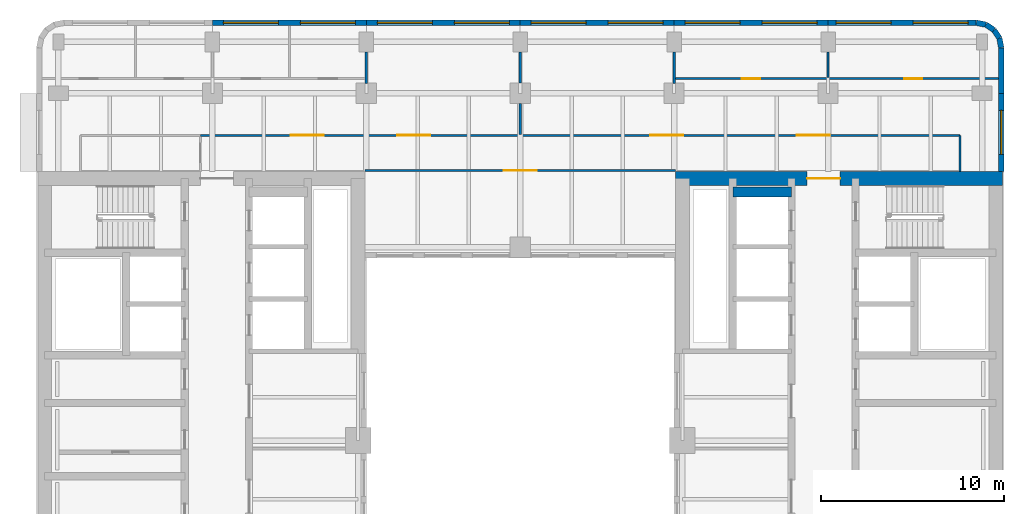
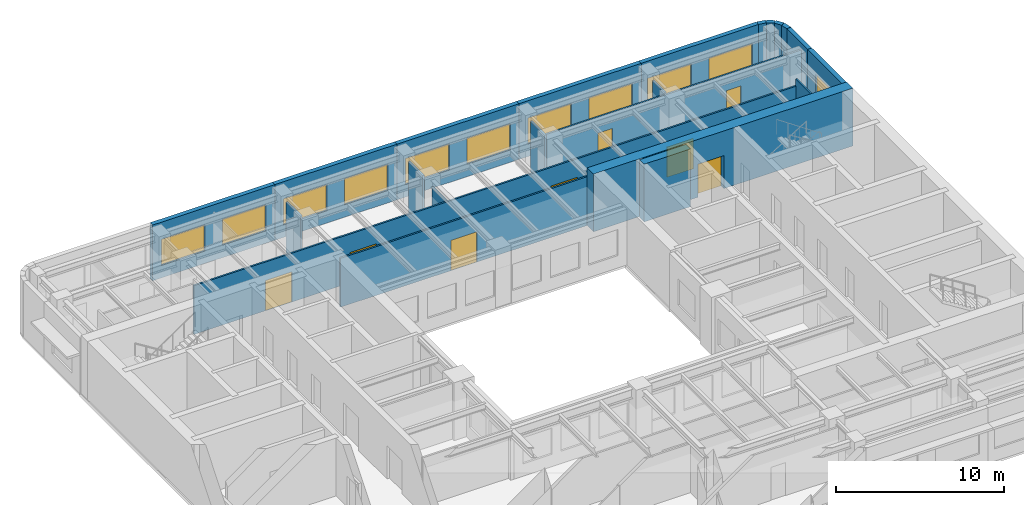
# One storey, part 7 of 11: 22 walls, 11 windows, 8 doors, 19 openings.
"""IFC4 building model written with IfcOpenShell, lengths in metres."""

from ifc_helpers import new_model, si_unit, direction, frame, frame_2d, origin, place, context, subcontext, project, spatial, rectangle, extrude, material, layer, layer_set, type_object, element, fill, save


model = new_model("IFC4")

# Units and contexts
model_context = context("Model", 3, precision=1e-05, world=origin(), true_north=direction((0.0, 1.0)))
body_context = subcontext(model_context, "Body", "Model", "MODEL_VIEW")
ifc_project = project(units=[si_unit("LENGTHUNIT", "METRE"), si_unit("AREAUNIT", "SQUARE_METRE"), si_unit("VOLUMEUNIT", "CUBIC_METRE"), si_unit("PLANEANGLEUNIT", "RADIAN"), si_unit("MASSUNIT", "GRAM", prefix="KILO")], contexts=[model_context])

# Site, building, storey
site_placement = place(None, origin())
site = spatial("IfcSite", under=ifc_project, at=site_placement, CompositionType="ELEMENT")
building_placement = place(site_placement, origin())
building = spatial("IfcBuilding", under=site, at=building_placement, Name="Claustro Exchange Tower", CompositionType="ELEMENT")
storey_placement = place(building_placement, frame((0.0, 0.0, 198.60009765625)))
storey = spatial("IfcBuildingStorey", under=building, at=storey_placement, Name="L45", CompositionType="ELEMENT", Elevation=198.60009765625)

# Wall
ifc_material_1 = material(Name="Laminated glass in aluminium frame", Category="aluminium")
ifc_layer_1 = layer(ifc_material_1, 0.1201171875)
ifc_layer_set_1 = layer_set([ifc_layer_1], Name="Laminated glass in aluminium frame")
wall_type_1 = type_object("IfcWallType", Name="P2 120 glazed partition", PredefinedType="PARTITIONING", material=ifc_layer_set_1)
wall_1_placement = place(storey_placement, frame((16.800048828125, 42.548095703125, 0.0), z_axis=(0.0, 0.0, 1.0), x_axis=(0.0, 1.0, 0.0)))
element("IfcWall", 1, at=wall_1_placement, inside=storey, type_object=wall_type_1, Name="Partition P2 L45", PredefinedType="PARTITIONING", context=body_context, shape_type="SweptSolid", body=[
    extrude(rectangle(XDim=1.702880859375, YDim=0.1201171875, at=frame_2d((0.8515625, 0.0))), origin(), (0.0, 0.0, 1.0), 3.68994140625),
])

# Wall, openings, doors
wall_2_placement = place(storey_placement, frame((33.60009765625, 42.800048828125, 0.0), z_axis=(0.0, 0.0, 1.0), x_axis=(1.0, 0.0, 0.0)))
wall_2 = element("IfcWall", 2, at=wall_2_placement, inside=storey, type_object=wall_type_1, Name="Partition P2 L45", PredefinedType="PARTITIONING", context=body_context, shape_type="SweptSolid", body=[
    extrude(rectangle(XDim=17.701904296875, YDim=0.1201171875, at=frame_2d((8.85107421875, 0.0))), origin(), (0.0, 0.0, 1.0), 3.559814453125),
])
opening_1_placement = place(wall_2_placement, frame((3.699951171875, 0.0, 0.0)))
opening_1 = element("IfcOpeningElement", 3, at=opening_1_placement, cuts=wall_2, Name="Opening D7", PredefinedType="OPENING", context=body_context, shape_type="SweptSolid", body=[
    extrude(rectangle(XDim=1.0, YDim=2.39990234375, at=frame_2d((0.5, 1.199951171875))), frame((0.0, 0.070068359375, 0.0), z_axis=(0.0, -1.0, 0.0), x_axis=(1.0, 0.0, 0.0)), (0.0, 0.0, 1.0), 0.14013671875),
])
opening_2_placement = place(wall_2_placement, frame((12.550048828125, 0.0, 0.0)))
opening_2 = element("IfcOpeningElement", 4, at=opening_2_placement, cuts=wall_2, Name="Opening D7", PredefinedType="OPENING", context=body_context, shape_type="SweptSolid", body=[
    extrude(rectangle(XDim=1.0, YDim=2.39990234375, at=frame_2d((0.5, 1.199951171875))), frame((0.0, 0.070068359375, 0.0), z_axis=(0.0, -1.0, 0.0), x_axis=(1.0, 0.0, 0.0)), (0.0, 0.0, 1.0), 0.14013671875),
])
ifc_material_2 = material(Name="Glass door in aluminium frame", Category="aluminium")
door_type_1 = type_object("IfcDoorType", Name="D7 1000 x 2400 glazed door", OperationType="SINGLE_SWING_LEFT", PredefinedType="DOOR", material=ifc_material_2)
door_1_placement = place(opening_1_placement, origin())
door_1 = element("IfcDoor", 5, at=door_1_placement, inside=storey, type_object=door_type_1, Name="Door D7 L45", OperationType="SINGLE_SWING_RIGHT", OverallHeight=2.39990234375, OverallWidth=1.0, PredefinedType="DOOR", context=body_context, shape_type="SweptSolid", body=[
    extrude(rectangle(XDim=1.0, YDim=2.39990234375, at=frame_2d((0.5, 1.199951171875))), frame((0.0, 0.02490234375, 0.0), z_axis=(0.0, -1.0, 0.0), x_axis=(1.0, 0.0, 0.0)), (0.0, 0.0, 1.0), 0.050048828125),
])
fill(opening_1, door_1)
door_2_placement = place(opening_2_placement, origin())
door_2 = element("IfcDoor", 6, at=door_2_placement, inside=storey, type_object=door_type_1, Name="Door D7 L45", OperationType="SINGLE_SWING_LEFT", OverallHeight=2.39990234375, OverallWidth=1.0, PredefinedType="DOOR", context=body_context, shape_type="SweptSolid", body=[
    extrude(rectangle(XDim=1.0, YDim=2.39990234375, at=frame_2d((0.5, 1.199951171875))), frame((0.0, 0.02490234375, 0.0), z_axis=(0.0, -1.0, 0.0), x_axis=(1.0, 0.0, 0.0)), (0.0, 0.0, 1.0), 0.050048828125),
])
fill(opening_2, door_2)

# Walls
wall_3_placement = place(storey_placement, frame((33.60009765625, 42.548095703125, 0.0), z_axis=(0.0, 0.0, 1.0), x_axis=(0.0, 1.0, 0.0)))
element("IfcWall", 7, at=wall_3_placement, inside=storey, type_object=wall_type_1, Name="Partition P2 L45", PredefinedType="PARTITIONING", context=body_context, shape_type="SweptSolid", body=[
    extrude(rectangle(XDim=1.702880859375, YDim=0.1201171875, at=frame_2d((0.8515625, 0.0))), origin(), (0.0, 0.0, 1.0), 3.68994140625),
])
wall_4_placement = place(storey_placement, frame((42.0, 42.85791015625, 0.0), z_axis=(0.0, 0.0, 1.0), x_axis=(0.0, 1.0, 0.0)))
element("IfcWall", 8, at=wall_4_placement, inside=storey, type_object=wall_type_1, Name="Partition P2 L45", PredefinedType="PARTITIONING", context=body_context, shape_type="SweptSolid", body=[
    extrude(rectangle(XDim=1.39306640625, YDim=0.1201171875, at=frame_2d((0.696533203125, 0.0))), origin(), (0.0, 0.0, 1.0), 3.68994140625),
])
wall_5_placement = place(storey_placement, frame((25.199951171875, 39.758056640625, 0.0), z_axis=(0.0, 0.0, 1.0), x_axis=(0.0, 1.0, 0.0)))
element("IfcWall", 9, at=wall_5_placement, inside=storey, type_object=wall_type_1, Name="Partition P2 L45", PredefinedType="PARTITIONING", context=body_context, shape_type="SweptSolid", body=[
    extrude(rectangle(XDim=1.69287109375, YDim=0.1201171875, at=frame_2d((0.846435546875, 0.0))), origin(), (0.0, 0.0, 1.0), 3.5498046875),
])
wall_6_placement = place(storey_placement, frame((25.199951171875, 42.549072265625, 0.0), z_axis=(0.0, 0.0, 1.0), x_axis=(0.0, 1.0, 0.0)))
element("IfcWall", 10, at=wall_6_placement, inside=storey, type_object=wall_type_1, Name="Partition P2 L45", PredefinedType="PARTITIONING", context=body_context, shape_type="SweptSolid", body=[
    extrude(rectangle(XDim=1.701904296875, YDim=0.1201171875, at=frame_2d((0.85107421875, 0.0))), origin(), (0.0, 0.0, 1.0), 3.68994140625),
])

# Wall, openings, doors
wall_7_placement = place(storey_placement, frame((7.748046875, 39.699951171875, 0.0), z_axis=(0.0, 0.0, 1.0), x_axis=(1.0, 0.0, 0.0)))
wall_7 = element("IfcWall", 11, at=wall_7_placement, inside=storey, type_object=wall_type_1, Name="Partition P2 L45", PredefinedType="PARTITIONING", context=body_context, shape_type="SweptSolid", body=[
    extrude(rectangle(XDim=41.451904296875, YDim=0.1201171875, at=frame_2d((20.72607421875, 0.0))), origin(), (0.0, 0.0, 1.0), 3.5498046875),
])
opening_3_placement = place(wall_7_placement, frame((4.918701171875, 0.0, 0.0)))
opening_3 = element("IfcOpeningElement", 12, at=opening_3_placement, cuts=wall_7, Name="Opening D2", PredefinedType="OPENING", context=body_context, shape_type="SweptSolid", body=[
    extrude(rectangle(XDim=1.800048828125, YDim=2.199951171875, at=frame_2d((0.89990234375, 1.10009765625))), frame((0.0, 0.070068359375, 0.0), z_axis=(0.0, -1.0, 0.0), x_axis=(1.0, 0.0, 0.0)), (0.0, 0.0, 1.0), 0.14013671875),
])
opening_4_placement = place(wall_7_placement, frame((10.7353515625, 0.0, 0.0)))
opening_4 = element("IfcOpeningElement", 13, at=opening_4_placement, cuts=wall_7, Name="Opening D2", PredefinedType="OPENING", context=body_context, shape_type="SweptSolid", body=[
    extrude(rectangle(XDim=1.800048828125, YDim=2.199951171875, at=frame_2d((0.89990234375, 1.10009765625))), frame((0.0, 0.070068359375, 0.0), z_axis=(0.0, -1.0, 0.0), x_axis=(1.0, 0.0, 0.0)), (0.0, 0.0, 1.0), 0.14013671875),
])
opening_5_placement = place(wall_7_placement, frame((24.552001953125, 0.0, 0.0)))
opening_5 = element("IfcOpeningElement", 14, at=opening_5_placement, cuts=wall_7, Name="Opening D2", PredefinedType="OPENING", context=body_context, shape_type="SweptSolid", body=[
    extrude(rectangle(XDim=1.800048828125, YDim=2.199951171875, at=frame_2d((0.89990234375, 1.10009765625))), frame((0.0, 0.070068359375, 0.0), z_axis=(0.0, -1.0, 0.0), x_axis=(1.0, 0.0, 0.0)), (0.0, 0.0, 1.0), 0.14013671875),
])
opening_6_placement = place(wall_7_placement, frame((32.552001953125, 0.0, 0.0)))
opening_6 = element("IfcOpeningElement", 15, at=opening_6_placement, cuts=wall_7, Name="Opening D2", PredefinedType="OPENING", context=body_context, shape_type="SweptSolid", body=[
    extrude(rectangle(XDim=1.800048828125, YDim=2.199951171875, at=frame_2d((0.89990234375, 1.10009765625))), frame((0.0, 0.070068359375, 0.0), z_axis=(0.0, -1.0, 0.0), x_axis=(1.0, 0.0, 0.0)), (0.0, 0.0, 1.0), 0.14013671875),
])
ifc_material_3 = material(Name="Timber door, oak veneer", Category="wood")
door_type_2 = type_object("IfcDoorType", Name="D2 1800 x 2200 double door", OperationType="DOUBLE_DOOR_SINGLE_SWING", PredefinedType="DOOR", material=ifc_material_3)
door_3_placement = place(opening_3_placement, origin())
door_3 = element("IfcDoor", 16, at=door_3_placement, inside=storey, type_object=door_type_2, Name="Double door D2 L45", OperationType="DOUBLE_DOOR_SINGLE_SWING", OverallHeight=2.199951171875, OverallWidth=1.800048828125, PredefinedType="DOOR", context=body_context, shape_type="SweptSolid", body=[
    extrude(rectangle(XDim=1.800048828125, YDim=2.199951171875, at=frame_2d((0.89990234375, 1.10009765625))), frame((0.0, 0.02490234375, 0.0), z_axis=(0.0, -1.0, 0.0), x_axis=(1.0, 0.0, 0.0)), (0.0, 0.0, 1.0), 0.050048828125),
])
fill(opening_3, door_3)
door_4_placement = place(opening_4_placement, origin())
door_4 = element("IfcDoor", 17, at=door_4_placement, inside=storey, type_object=door_type_2, Name="Double door D2 L45", OperationType="DOUBLE_DOOR_SINGLE_SWING", OverallHeight=2.199951171875, OverallWidth=1.800048828125, PredefinedType="DOOR", context=body_context, shape_type="SweptSolid", body=[
    extrude(rectangle(XDim=1.800048828125, YDim=2.199951171875, at=frame_2d((0.89990234375, 1.10009765625))), frame((0.0, 0.02490234375, 0.0), z_axis=(0.0, -1.0, 0.0), x_axis=(1.0, 0.0, 0.0)), (0.0, 0.0, 1.0), 0.050048828125),
])
fill(opening_4, door_4)
door_5_placement = place(opening_5_placement, origin())
door_5 = element("IfcDoor", 18, at=door_5_placement, inside=storey, type_object=door_type_2, Name="Double door D2 L45", OperationType="DOUBLE_DOOR_SINGLE_SWING", OverallHeight=2.199951171875, OverallWidth=1.800048828125, PredefinedType="DOOR", context=body_context, shape_type="SweptSolid", body=[
    extrude(rectangle(XDim=1.800048828125, YDim=2.199951171875, at=frame_2d((0.89990234375, 1.10009765625))), frame((0.0, 0.02490234375, 0.0), z_axis=(0.0, -1.0, 0.0), x_axis=(1.0, 0.0, 0.0)), (0.0, 0.0, 1.0), 0.050048828125),
])
fill(opening_5, door_5)
door_6_placement = place(opening_6_placement, origin())
door_6 = element("IfcDoor", 19, at=door_6_placement, inside=storey, type_object=door_type_2, Name="Double door D2 L45", OperationType="DOUBLE_DOOR_SINGLE_SWING", OverallHeight=2.199951171875, OverallWidth=1.800048828125, PredefinedType="DOOR", context=body_context, shape_type="SweptSolid", body=[
    extrude(rectangle(XDim=1.800048828125, YDim=2.199951171875, at=frame_2d((0.89990234375, 1.10009765625))), frame((0.0, 0.02490234375, 0.0), z_axis=(0.0, -1.0, 0.0), x_axis=(1.0, 0.0, 0.0)), (0.0, 0.0, 1.0), 0.050048828125),
])
fill(opening_6, door_6)

# Wall
wall_8_placement = place(storey_placement, frame((49.199951171875, 37.72412109375, 0.0), z_axis=(0.0, 0.0, 1.0), x_axis=(0.0, 1.0, 0.0)))
element("IfcWall", 20, at=wall_8_placement, inside=storey, type_object=wall_type_1, Name="Partition P2 L45", PredefinedType="PARTITIONING", context=body_context, shape_type="SweptSolid", body=[
    extrude(rectangle(XDim=1.975830078125, YDim=0.1201171875, at=frame_2d((0.98779296875, 0.0))), origin(), (0.0, 0.0, 1.0), 4.0498046875),
])

# Wall, opening, door
wall_9_placement = place(storey_placement, frame((16.72509765625, 37.784912109375, 0.0), z_axis=(0.0, 0.0, 1.0), x_axis=(1.0, 0.0, 0.0)))
wall_9 = element("IfcWall", 21, at=wall_9_placement, inside=storey, type_object=wall_type_1, Name="Partition P2 L45", PredefinedType="PARTITIONING", context=body_context, shape_type="SweptSolid", body=[
    extrude(rectangle(XDim=16.949951171875, YDim=0.1201171875, at=frame_2d((8.47509765625, 0.0))), origin(), (0.0, 0.0, 1.0), 3.5498046875),
])
opening_7_placement = place(wall_9_placement, frame((7.574951171875, 0.0, 0.0)))
opening_7 = element("IfcOpeningElement", 22, at=opening_7_placement, cuts=wall_9, Name="Opening D2", PredefinedType="OPENING", context=body_context, shape_type="SweptSolid", body=[
    extrude(rectangle(XDim=1.800048828125, YDim=2.199951171875, at=frame_2d((0.89990234375, 1.10009765625))), frame((0.0, 0.070068359375, 0.0), z_axis=(0.0, -1.0, 0.0), x_axis=(1.0, 0.0, 0.0)), (0.0, 0.0, 1.0), 0.14013671875),
])
door_7_placement = place(opening_7_placement, frame((1.800048828125, 0.0, 0.0), z_axis=(0.0, 0.0, 1.0), x_axis=(-1.0, 0.0, 0.0)))
door_7 = element("IfcDoor", 23, at=door_7_placement, inside=storey, type_object=door_type_2, Name="Double door D2 L45", OperationType="DOUBLE_DOOR_SINGLE_SWING", OverallHeight=2.199951171875, OverallWidth=1.800048828125, PredefinedType="DOOR", context=body_context, shape_type="SweptSolid", body=[
    extrude(rectangle(XDim=1.800048828125, YDim=2.199951171875, at=frame_2d((0.89990234375, 1.10009765625))), frame((0.0, 0.02490234375, 0.0), z_axis=(0.0, -1.0, 0.0), x_axis=(1.0, 0.0, 0.0)), (0.0, 0.0, 1.0), 0.050048828125),
])
fill(opening_7, door_7)

# Wall, openings, windows
ifc_material_4 = material(Name="Concrete HA-40 (C40/50), precast, white cement, acid-etched", Category="concrete")
ifc_layer_2 = layer(ifc_material_4, 0.300048828125)
ifc_layer_set_2 = layer_set([ifc_layer_2], Name="Concrete HA-40 (C40/50), precast, white cement, acid-etched")
wall_type_2 = type_object("IfcWallType", Name="PC1 300 precast concrete pier panel", PredefinedType="SOLIDWALL", material=ifc_layer_set_2)
wall_10_placement = place(storey_placement, frame((8.39990234375, 45.85009765625, 0.0), z_axis=(0.0, 0.0, 1.0), x_axis=(1.0, 0.0, 0.0)))
wall_10 = element("IfcWall", 24, at=wall_10_placement, inside=storey, type_object=wall_type_2, Name="Precast pier panel PC1 L45", PredefinedType="SOLIDWALL", context=body_context, shape_type="SweptSolid", body=[
    extrude(rectangle(XDim=8.400146484375, YDim=0.300048828125, at=frame_2d((4.2001953125, 0.0))), origin(), (0.0, 0.0, 1.0), 4.0498046875),
])
opening_8_placement = place(wall_10_placement, frame((0.60009765625, 0.0, 0.89990234375)))
opening_8 = element("IfcOpeningElement", 25, at=opening_8_placement, cuts=wall_10, Name="Opening W1", PredefinedType="OPENING", context=body_context, shape_type="SweptSolid", body=[
    extrude(rectangle(XDim=3.0, YDim=1.89990234375, at=frame_2d((1.5, 0.949951171875))), frame((0.0, 0.159912109375, 0.0), z_axis=(0.0, -1.0, 0.0), x_axis=(1.0, 0.0, 0.0)), (0.0, 0.0, 1.0), 0.320068359375),
])
opening_9_placement = place(wall_10_placement, frame((4.800048828125, 0.0, 0.89990234375)))
opening_9 = element("IfcOpeningElement", 26, at=opening_9_placement, cuts=wall_10, Name="Opening W1", PredefinedType="OPENING", context=body_context, shape_type="SweptSolid", body=[
    extrude(rectangle(XDim=3.0, YDim=1.89990234375, at=frame_2d((1.5, 0.949951171875))), frame((0.0, 0.159912109375, 0.0), z_axis=(0.0, -1.0, 0.0), x_axis=(1.0, 0.0, 0.0)), (0.0, 0.0, 1.0), 0.320068359375),
])
ifc_material_5 = material(Name="Aluminium frame, clear double glazing", Category="aluminium")
window_type_1 = type_object("IfcWindowType", Name="W1 3000 x 1900 window", PartitioningType="SINGLE_PANEL", PredefinedType="WINDOW", material=ifc_material_5)
window_1_placement = place(opening_8_placement, origin())
window_1 = element("IfcWindow", 27, at=window_1_placement, inside=storey, type_object=window_type_1, Name="Window W1 L45", OverallHeight=1.89990234375, OverallWidth=3.0, PartitioningType="SINGLE_PANEL", PredefinedType="WINDOW", context=body_context, shape_type="SweptSolid", body=[
    extrude(rectangle(XDim=3.0, YDim=1.89990234375, at=frame_2d((1.5, 0.949951171875))), frame((0.0, 0.030029296875, 0.0), z_axis=(0.0, -1.0, 0.0), x_axis=(1.0, 0.0, 0.0)), (0.0, 0.0, 1.0), 0.06005859375),
])
fill(opening_8, window_1)
window_2_placement = place(opening_9_placement, origin())
window_2 = element("IfcWindow", 28, at=window_2_placement, inside=storey, type_object=window_type_1, Name="Window W1 L45", OverallHeight=1.89990234375, OverallWidth=3.0, PartitioningType="SINGLE_PANEL", PredefinedType="WINDOW", context=body_context, shape_type="SweptSolid", body=[
    extrude(rectangle(XDim=3.0, YDim=1.89990234375, at=frame_2d((1.5, 0.949951171875))), frame((0.0, 0.030029296875, 0.0), z_axis=(0.0, -1.0, 0.0), x_axis=(1.0, 0.0, 0.0)), (0.0, 0.0, 1.0), 0.06005859375),
])
fill(opening_9, window_2)

wall_11_placement = place(storey_placement, frame((16.800048828125, 45.85009765625, 0.0), z_axis=(0.0, 0.0, 1.0), x_axis=(1.0, 0.0, 0.0)))
wall_11 = element("IfcWall", 29, at=wall_11_placement, inside=storey, type_object=wall_type_2, Name="Precast pier panel PC1 L45", PredefinedType="SOLIDWALL", context=body_context, shape_type="SweptSolid", body=[
    extrude(rectangle(XDim=8.39990234375, YDim=0.300048828125, at=frame_2d((4.199951171875, 0.0))), origin(), (0.0, 0.0, 1.0), 4.0498046875),
])
opening_10_placement = place(wall_11_placement, frame((0.60009765625, 0.0, 0.89990234375)))
opening_10 = element("IfcOpeningElement", 30, at=opening_10_placement, cuts=wall_11, Name="Opening W1", PredefinedType="OPENING", context=body_context, shape_type="SweptSolid", body=[
    extrude(rectangle(XDim=3.0, YDim=1.89990234375, at=frame_2d((1.5, 0.949951171875))), frame((0.0, 0.159912109375, 0.0), z_axis=(0.0, -1.0, 0.0), x_axis=(1.0, 0.0, 0.0)), (0.0, 0.0, 1.0), 0.320068359375),
])
opening_11_placement = place(wall_11_placement, frame((4.800048828125, 0.0, 0.89990234375)))
opening_11 = element("IfcOpeningElement", 31, at=opening_11_placement, cuts=wall_11, Name="Opening W1", PredefinedType="OPENING", context=body_context, shape_type="SweptSolid", body=[
    extrude(rectangle(XDim=3.0, YDim=1.89990234375, at=frame_2d((1.5, 0.949951171875))), frame((0.0, 0.159912109375, 0.0), z_axis=(0.0, -1.0, 0.0), x_axis=(1.0, 0.0, 0.0)), (0.0, 0.0, 1.0), 0.320068359375),
])
window_3_placement = place(opening_10_placement, origin())
window_3 = element("IfcWindow", 32, at=window_3_placement, inside=storey, type_object=window_type_1, Name="Window W1 L45", OverallHeight=1.89990234375, OverallWidth=3.0, PartitioningType="SINGLE_PANEL", PredefinedType="WINDOW", context=body_context, shape_type="SweptSolid", body=[
    extrude(rectangle(XDim=3.0, YDim=1.89990234375, at=frame_2d((1.5, 0.949951171875))), frame((0.0, 0.030029296875, 0.0), z_axis=(0.0, -1.0, 0.0), x_axis=(1.0, 0.0, 0.0)), (0.0, 0.0, 1.0), 0.06005859375),
])
fill(opening_10, window_3)
window_4_placement = place(opening_11_placement, origin())
window_4 = element("IfcWindow", 33, at=window_4_placement, inside=storey, type_object=window_type_1, Name="Window W1 L45", OverallHeight=1.89990234375, OverallWidth=3.0, PartitioningType="SINGLE_PANEL", PredefinedType="WINDOW", context=body_context, shape_type="SweptSolid", body=[
    extrude(rectangle(XDim=3.0, YDim=1.89990234375, at=frame_2d((1.5, 0.949951171875))), frame((0.0, 0.030029296875, 0.0), z_axis=(0.0, -1.0, 0.0), x_axis=(1.0, 0.0, 0.0)), (0.0, 0.0, 1.0), 0.06005859375),
])
fill(opening_11, window_4)

wall_12_placement = place(storey_placement, frame((25.199951171875, 45.85009765625, 0.0), z_axis=(0.0, 0.0, 1.0), x_axis=(1.0, 0.0, 0.0)))
wall_12 = element("IfcWall", 34, at=wall_12_placement, inside=storey, type_object=wall_type_2, Name="Precast pier panel PC1 L45", PredefinedType="SOLIDWALL", context=body_context, shape_type="SweptSolid", body=[
    extrude(rectangle(XDim=8.400146484375, YDim=0.300048828125, at=frame_2d((4.2001953125, 0.0))), origin(), (0.0, 0.0, 1.0), 4.0498046875),
])
opening_12_placement = place(wall_12_placement, frame((0.60009765625, 0.0, 0.89990234375)))
opening_12 = element("IfcOpeningElement", 35, at=opening_12_placement, cuts=wall_12, Name="Opening W1", PredefinedType="OPENING", context=body_context, shape_type="SweptSolid", body=[
    extrude(rectangle(XDim=3.0, YDim=1.89990234375, at=frame_2d((1.5, 0.949951171875))), frame((0.0, 0.159912109375, 0.0), z_axis=(0.0, -1.0, 0.0), x_axis=(1.0, 0.0, 0.0)), (0.0, 0.0, 1.0), 0.320068359375),
])
opening_13_placement = place(wall_12_placement, frame((4.800048828125, 0.0, 0.89990234375)))
opening_13 = element("IfcOpeningElement", 36, at=opening_13_placement, cuts=wall_12, Name="Opening W1", PredefinedType="OPENING", context=body_context, shape_type="SweptSolid", body=[
    extrude(rectangle(XDim=3.0, YDim=1.89990234375, at=frame_2d((1.5, 0.949951171875))), frame((0.0, 0.159912109375, 0.0), z_axis=(0.0, -1.0, 0.0), x_axis=(1.0, 0.0, 0.0)), (0.0, 0.0, 1.0), 0.320068359375),
])
window_5_placement = place(opening_12_placement, origin())
window_5 = element("IfcWindow", 37, at=window_5_placement, inside=storey, type_object=window_type_1, Name="Window W1 L45", OverallHeight=1.89990234375, OverallWidth=3.0, PartitioningType="SINGLE_PANEL", PredefinedType="WINDOW", context=body_context, shape_type="SweptSolid", body=[
    extrude(rectangle(XDim=3.0, YDim=1.89990234375, at=frame_2d((1.5, 0.949951171875))), frame((0.0, 0.030029296875, 0.0), z_axis=(0.0, -1.0, 0.0), x_axis=(1.0, 0.0, 0.0)), (0.0, 0.0, 1.0), 0.06005859375),
])
fill(opening_12, window_5)
window_6_placement = place(opening_13_placement, origin())
window_6 = element("IfcWindow", 38, at=window_6_placement, inside=storey, type_object=window_type_1, Name="Window W1 L45", OverallHeight=1.89990234375, OverallWidth=3.0, PartitioningType="SINGLE_PANEL", PredefinedType="WINDOW", context=body_context, shape_type="SweptSolid", body=[
    extrude(rectangle(XDim=3.0, YDim=1.89990234375, at=frame_2d((1.5, 0.949951171875))), frame((0.0, 0.030029296875, 0.0), z_axis=(0.0, -1.0, 0.0), x_axis=(1.0, 0.0, 0.0)), (0.0, 0.0, 1.0), 0.06005859375),
])
fill(opening_13, window_6)

wall_13_placement = place(storey_placement, frame((33.60009765625, 45.85009765625, 0.0), z_axis=(0.0, 0.0, 1.0), x_axis=(1.0, 0.0, 0.0)))
wall_13 = element("IfcWall", 39, at=wall_13_placement, inside=storey, type_object=wall_type_2, Name="Precast pier panel PC1 L45", PredefinedType="SOLIDWALL", context=body_context, shape_type="SweptSolid", body=[
    extrude(rectangle(XDim=8.39990234375, YDim=0.300048828125, at=frame_2d((4.199951171875, 0.0))), origin(), (0.0, 0.0, 1.0), 4.0498046875),
])
opening_14_placement = place(wall_13_placement, frame((0.60009765625, 0.0, 0.89990234375)))
opening_14 = element("IfcOpeningElement", 40, at=opening_14_placement, cuts=wall_13, Name="Opening W1", PredefinedType="OPENING", context=body_context, shape_type="SweptSolid", body=[
    extrude(rectangle(XDim=3.0, YDim=1.89990234375, at=frame_2d((1.5, 0.949951171875))), frame((0.0, 0.159912109375, 0.0), z_axis=(0.0, -1.0, 0.0), x_axis=(1.0, 0.0, 0.0)), (0.0, 0.0, 1.0), 0.320068359375),
])
opening_15_placement = place(wall_13_placement, frame((4.800048828125, 0.0, 0.89990234375)))
opening_15 = element("IfcOpeningElement", 41, at=opening_15_placement, cuts=wall_13, Name="Opening W1", PredefinedType="OPENING", context=body_context, shape_type="SweptSolid", body=[
    extrude(rectangle(XDim=3.0, YDim=1.89990234375, at=frame_2d((1.5, 0.949951171875))), frame((0.0, 0.159912109375, 0.0), z_axis=(0.0, -1.0, 0.0), x_axis=(1.0, 0.0, 0.0)), (0.0, 0.0, 1.0), 0.320068359375),
])
window_7_placement = place(opening_14_placement, origin())
window_7 = element("IfcWindow", 42, at=window_7_placement, inside=storey, type_object=window_type_1, Name="Window W1 L45", OverallHeight=1.89990234375, OverallWidth=3.0, PartitioningType="SINGLE_PANEL", PredefinedType="WINDOW", context=body_context, shape_type="SweptSolid", body=[
    extrude(rectangle(XDim=3.0, YDim=1.89990234375, at=frame_2d((1.5, 0.949951171875))), frame((0.0, 0.030029296875, 0.0), z_axis=(0.0, -1.0, 0.0), x_axis=(1.0, 0.0, 0.0)), (0.0, 0.0, 1.0), 0.06005859375),
])
fill(opening_14, window_7)
window_8_placement = place(opening_15_placement, origin())
window_8 = element("IfcWindow", 43, at=window_8_placement, inside=storey, type_object=window_type_1, Name="Window W1 L45", OverallHeight=1.89990234375, OverallWidth=3.0, PartitioningType="SINGLE_PANEL", PredefinedType="WINDOW", context=body_context, shape_type="SweptSolid", body=[
    extrude(rectangle(XDim=3.0, YDim=1.89990234375, at=frame_2d((1.5, 0.949951171875))), frame((0.0, 0.030029296875, 0.0), z_axis=(0.0, -1.0, 0.0), x_axis=(1.0, 0.0, 0.0)), (0.0, 0.0, 1.0), 0.06005859375),
])
fill(opening_15, window_8)

wall_14_placement = place(storey_placement, frame((42.0, 45.85009765625, 0.0), z_axis=(0.0, 0.0, 1.0), x_axis=(1.0, 0.0, 0.0)))
wall_14 = element("IfcWall", 44, at=wall_14_placement, inside=storey, type_object=wall_type_2, Name="Precast pier panel PC1 L45", PredefinedType="SOLIDWALL", context=body_context, shape_type="SweptSolid", body=[
    extrude(rectangle(XDim=8.085205078125, YDim=0.300048828125, at=frame_2d((4.04248046875, 0.0))), origin(), (0.0, 0.0, 1.0), 4.0498046875),
])
opening_16_placement = place(wall_14_placement, frame((0.442626953125, 0.0, 0.89990234375)))
opening_16 = element("IfcOpeningElement", 45, at=opening_16_placement, cuts=wall_14, Name="Opening W1", PredefinedType="OPENING", context=body_context, shape_type="SweptSolid", body=[
    extrude(rectangle(XDim=3.0, YDim=1.89990234375, at=frame_2d((1.5, 0.949951171875))), frame((0.0, 0.159912109375, 0.0), z_axis=(0.0, -1.0, 0.0), x_axis=(1.0, 0.0, 0.0)), (0.0, 0.0, 1.0), 0.320068359375),
])
opening_17_placement = place(wall_14_placement, frame((4.642578125, 0.0, 0.89990234375)))
opening_17 = element("IfcOpeningElement", 46, at=opening_17_placement, cuts=wall_14, Name="Opening W1", PredefinedType="OPENING", context=body_context, shape_type="SweptSolid", body=[
    extrude(rectangle(XDim=3.0, YDim=1.89990234375, at=frame_2d((1.5, 0.949951171875))), frame((0.0, 0.159912109375, 0.0), z_axis=(0.0, -1.0, 0.0), x_axis=(1.0, 0.0, 0.0)), (0.0, 0.0, 1.0), 0.320068359375),
])
window_9_placement = place(opening_16_placement, origin())
window_9 = element("IfcWindow", 47, at=window_9_placement, inside=storey, type_object=window_type_1, Name="Window W1 L45", OverallHeight=1.89990234375, OverallWidth=3.0, PartitioningType="SINGLE_PANEL", PredefinedType="WINDOW", context=body_context, shape_type="SweptSolid", body=[
    extrude(rectangle(XDim=3.0, YDim=1.89990234375, at=frame_2d((1.5, 0.949951171875))), frame((0.0, 0.030029296875, 0.0), z_axis=(0.0, -1.0, 0.0), x_axis=(1.0, 0.0, 0.0)), (0.0, 0.0, 1.0), 0.06005859375),
])
fill(opening_16, window_9)
window_10_placement = place(opening_17_placement, origin())
window_10 = element("IfcWindow", 48, at=window_10_placement, inside=storey, type_object=window_type_1, Name="Window W1 L45", OverallHeight=1.89990234375, OverallWidth=3.0, PartitioningType="SINGLE_PANEL", PredefinedType="WINDOW", context=body_context, shape_type="SweptSolid", body=[
    extrude(rectangle(XDim=3.0, YDim=1.89990234375, at=frame_2d((1.5, 0.949951171875))), frame((0.0, 0.030029296875, 0.0), z_axis=(0.0, -1.0, 0.0), x_axis=(1.0, 0.0, 0.0)), (0.0, 0.0, 1.0), 0.06005859375),
])
fill(opening_17, window_10)

# Walls
wall_15_placement = place(storey_placement, frame((50.085205078125, 45.85009765625, 0.0), z_axis=(0.0, 0.0, 1.0), x_axis=(0.980702050465, -0.1955082817, 0.0)))
element("IfcWall", 49, at=wall_15_placement, inside=storey, type_object=wall_type_2, Name="Precast pier panel PC1 L45", PredefinedType="SOLIDWALL", context=body_context, shape_type="SweptSolid", body=[
    extrude(rectangle(XDim=0.540771484375, YDim=0.300048828125, at=frame_2d((0.2705078125, 0.0))), origin(), (0.0, 0.0, 1.0), 4.0498046875),
])
wall_16_placement = place(storey_placement, frame((50.615478515625, 45.744384765625, 0.0), z_axis=(0.0, 0.0, 1.0), x_axis=(0.831692711774, -0.555236195849, 0.0)))
element("IfcWall", 50, at=wall_16_placement, inside=storey, type_object=wall_type_2, Name="Precast pier panel PC1 L45", PredefinedType="SOLIDWALL", context=body_context, shape_type="SweptSolid", body=[
    extrude(rectangle(XDim=0.525390625, YDim=0.300048828125, at=frame_2d((0.2626953125, 0.0))), origin(), (0.0, 0.0, 1.0), 4.0498046875),
])
wall_17_placement = place(storey_placement, frame((51.052490234375, 45.45263671875, 0.0), z_axis=(0.0, 0.0, 1.0), x_axis=(0.55534295404, -0.831621430339, 0.0)))
element("IfcWall", 51, at=wall_17_placement, inside=storey, type_object=wall_type_2, Name="Precast pier panel PC1 L45", PredefinedType="SOLIDWALL", context=body_context, shape_type="SweptSolid", body=[
    extrude(rectangle(XDim=0.52587890625, YDim=0.300048828125, at=frame_2d((0.262939453125, 0.0))), origin(), (0.0, 0.0, 1.0), 4.0498046875),
])
wall_18_placement = place(storey_placement, frame((51.344482421875, 45.015380859375, 0.0), z_axis=(0.0, 0.0, 1.0), x_axis=(0.195073962632, -0.980788534345, 0.0)))
element("IfcWall", 52, at=wall_18_placement, inside=storey, type_object=wall_type_2, Name="Precast pier panel PC1 L45", PredefinedType="SOLIDWALL", context=body_context, shape_type="SweptSolid", body=[
    extrude(rectangle(XDim=0.540771484375, YDim=0.300048828125, at=frame_2d((0.2705078125, 0.0))), origin(), (0.0, 0.0, 1.0), 4.0498046875),
])
wall_19_placement = place(storey_placement, frame((51.449951171875, 44.485107421875, 0.0), z_axis=(0.0, 0.0, 1.0), x_axis=(0.0, -1.0, 0.0)))
element("IfcWall", 53, at=wall_19_placement, inside=storey, type_object=wall_type_2, Name="Precast pier panel PC1 L45", PredefinedType="SOLIDWALL", context=body_context, shape_type="SweptSolid", body=[
    extrude(rectangle(XDim=2.485107421875, YDim=0.300048828125, at=frame_2d((1.24267578125, 0.0))), origin(), (0.0, 0.0, 1.0), 4.0498046875),
])

# Wall, opening, window
wall_20_placement = place(storey_placement, frame((51.449951171875, 42.0, 0.0), z_axis=(0.0, 0.0, 1.0), x_axis=(0.0, -1.0, 0.0)))
wall_20 = element("IfcWall", 54, at=wall_20_placement, inside=storey, type_object=wall_type_2, Name="Precast pier panel PC1 L45", PredefinedType="SOLIDWALL", context=body_context, shape_type="SweptSolid", body=[
    extrude(rectangle(XDim=4.27490234375, YDim=0.300048828125, at=frame_2d((2.137451171875, 0.0))), origin(), (0.0, 0.0, 1.0), 4.0498046875),
])
opening_18_placement = place(wall_20_placement, frame((0.9375, 0.0, 0.89990234375)))
opening_18 = element("IfcOpeningElement", 55, at=opening_18_placement, cuts=wall_20, Name="Opening W2", PredefinedType="OPENING", context=body_context, shape_type="SweptSolid", body=[
    extrude(rectangle(XDim=2.39990234375, YDim=1.89990234375, at=frame_2d((1.199951171875, 0.949951171875))), frame((0.0, 0.159912109375, 0.0), z_axis=(0.0, -1.0, 0.0), x_axis=(1.0, 0.0, 0.0)), (0.0, 0.0, 1.0), 0.320068359375),
])
ifc_material_6 = material(Name="Aluminium frame, clear double glazing", Category="aluminium")
window_type_2 = type_object("IfcWindowType", Name="W2 2400 x 1900 window", PartitioningType="SINGLE_PANEL", PredefinedType="WINDOW", material=ifc_material_6)
window_11_placement = place(opening_18_placement, origin())
window_11 = element("IfcWindow", 56, at=window_11_placement, inside=storey, type_object=window_type_2, Name="Window W2 L45", OverallHeight=1.89990234375, OverallWidth=2.39990234375, PartitioningType="SINGLE_PANEL", PredefinedType="WINDOW", context=body_context, shape_type="SweptSolid", body=[
    extrude(rectangle(XDim=2.39990234375, YDim=1.89990234375, at=frame_2d((1.199951171875, 0.949951171875))), frame((0.0, 0.030029296875, 0.0), z_axis=(0.0, -1.0, 0.0), x_axis=(1.0, 0.0, 0.0)), (0.0, 0.0, 1.0), 0.06005859375),
])
fill(opening_18, window_11)

# Wall, opening, door
ifc_material_7 = material(Name="Concrete HA-70 (C70/85)", Category="concrete")
ifc_layer_3 = layer(ifc_material_7, 0.75)
ifc_layer_set_3 = layer_set([ifc_layer_3], Name="Concrete HA-70 (C70/85)")
wall_type_3 = type_object("IfcWallType", Name="SW2 750 core shear wall", PredefinedType="SHEAR", material=ifc_layer_set_3)
wall_21_placement = place(storey_placement, frame((33.675048828125, 37.35009765625, 0.0), z_axis=(0.0, 0.0, 1.0), x_axis=(1.0, 0.0, 0.0)))
wall_21 = element("IfcWall", 57, at=wall_21_placement, inside=storey, type_object=wall_type_3, Name="Core wall SW2 E core N face L45", PredefinedType="SHEAR", context=body_context, shape_type="SweptSolid", body=[
    extrude(rectangle(XDim=17.849853515625, YDim=0.75, at=frame_2d((8.9248046875, 0.0))), origin(), (0.0, 0.0, 1.0), 4.199951171875),
])
opening_19_placement = place(wall_21_placement, frame((7.175048828125, 0.0, 0.0)))
opening_19 = element("IfcOpeningElement", 58, at=opening_19_placement, cuts=wall_21, Name="Opening D3", PredefinedType="OPENING", context=body_context, shape_type="SweptSolid", body=[
    extrude(rectangle(XDim=1.800048828125, YDim=2.39990234375, at=frame_2d((0.89990234375, 1.199951171875))), frame((0.0, 0.385009765625, 0.0), z_axis=(0.0, -1.0, 0.0), x_axis=(1.0, 0.0, 0.0)), (0.0, 0.0, 1.0), 0.77001953125),
])
ifc_material_8 = material(Name="Steel fire door, painted", Category="steel")
door_type_3 = type_object("IfcDoorType", Name="D3 1800 x 2400 fire-rated lobby double door", OperationType="DOUBLE_DOOR_SINGLE_SWING", PredefinedType="DOOR", material=ifc_material_8)
door_8_placement = place(opening_19_placement, frame((1.800048828125, 0.0, 0.0), z_axis=(0.0, 0.0, 1.0), x_axis=(-1.0, 0.0, 0.0)))
door_8 = element("IfcDoor", 59, at=door_8_placement, inside=storey, type_object=door_type_3, Name="Lift lobby door D3 L45", OperationType="DOUBLE_DOOR_SINGLE_SWING", OverallHeight=2.39990234375, OverallWidth=1.800048828125, PredefinedType="DOOR", context=body_context, shape_type="SweptSolid", body=[
    extrude(rectangle(XDim=1.800048828125, YDim=2.39990234375, at=frame_2d((0.89990234375, 1.199951171875))), frame((0.0, 0.02490234375, 0.0), z_axis=(0.0, -1.0, 0.0), x_axis=(1.0, 0.0, 0.0)), (0.0, 0.0, 1.0), 0.050048828125),
])
fill(opening_19, door_8)

# Wall
ifc_material_9 = material(Name="Concrete HA-50 (C50/60)", Category="concrete")
ifc_layer_4 = layer(ifc_material_9, 0.550048828125)
ifc_layer_set_4 = layer_set([ifc_layer_4], Name="Concrete HA-50 (C50/60)")
wall_type_4 = type_object("IfcWallType", Name="SW6 550 lift shaft end wall", PredefinedType="SHEAR", material=ifc_layer_set_4)
wall_22_placement = place(storey_placement, frame((40.0, 36.625, 0.0), z_axis=(0.0, 0.0, 1.0), x_axis=(-1.0, 0.0, 0.0)))
element("IfcWall", 60, at=wall_22_placement, inside=storey, type_object=wall_type_4, Name="Lift shaft wall E core L45", PredefinedType="SHEAR", context=body_context, shape_type="SweptSolid", body=[
    extrude(rectangle(XDim=3.199951171875, YDim=0.550048828125, at=frame_2d((1.60009765625, 0.0))), origin(), (0.0, 0.0, 1.0), 4.199951171875),
])

save(model, "model.ifc")
